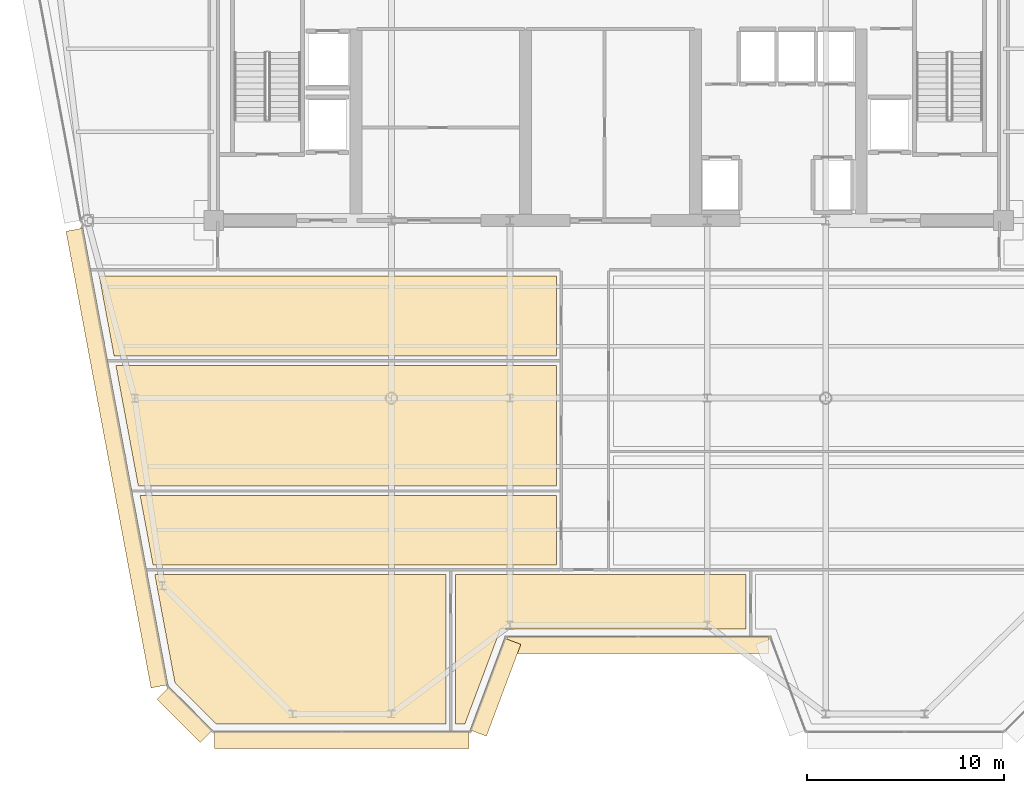
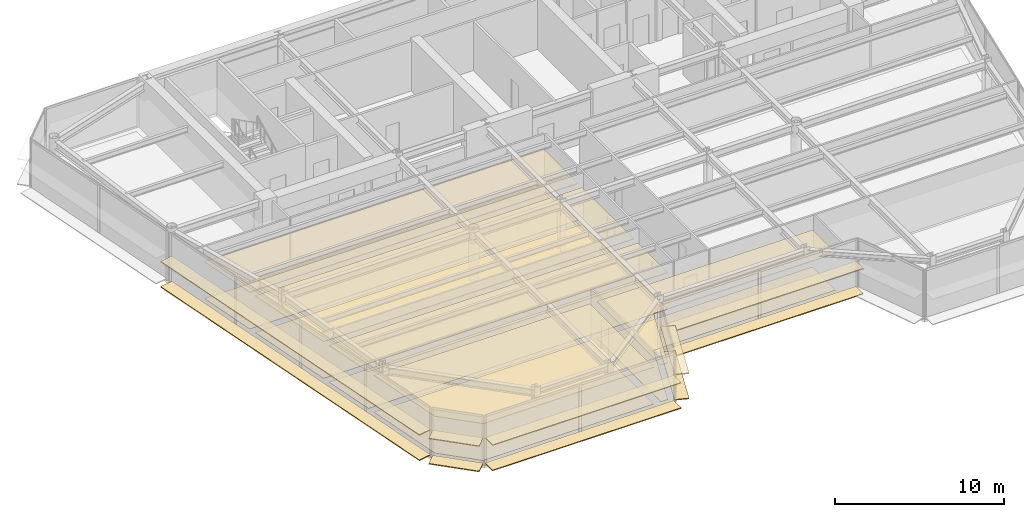
# One storey, part 12 of 18: 20 coverings.
"""IFC4 building model written with IfcOpenShell, lengths in metres."""

from ifc_helpers import new_model, si_unit, direction, frame, origin, origin_2d, place, context, subcontext, project, spatial, polyline, rectangle, outline, extrude, source, transform, mapped, material, layer, layer_set, type_object, element, save


model = new_model("IFC4")

# Units and contexts
model_context = context("Model", 3, precision=1e-05, world=origin(), true_north=direction((0.0, 1.0)))
body_context = subcontext(model_context, "Body", "Model", "MODEL_VIEW")
ifc_project = project(units=[si_unit("LENGTHUNIT", "METRE"), si_unit("AREAUNIT", "SQUARE_METRE"), si_unit("VOLUMEUNIT", "CUBIC_METRE"), si_unit("PLANEANGLEUNIT", "RADIAN"), si_unit("MASSUNIT", "GRAM", prefix="KILO")], contexts=[model_context])

# Site, building, storey
site_placement = place(None, origin())
site = spatial("IfcSite", under=ifc_project, at=site_placement, CompositionType="ELEMENT")
building_placement = place(site_placement, origin())
building = spatial("IfcBuilding", under=site, at=building_placement, Name="Vaeldorn Concourse Tower", CompositionType="ELEMENT")
storey_placement = place(building_placement, frame((0.0, 0.0, 242.199951171875)))
storey = spatial("IfcBuildingStorey", under=building, at=storey_placement, Name="L62", CompositionType="ELEMENT", Elevation=242.199951171875)

# Coverings
ifc_material_1 = material(Name="Acoustic Mineral Fibre Board", Category="gypsum")
ifc_layer_1 = layer(ifc_material_1, 0.0400390625)
ifc_layer_set_1 = layer_set([ifc_layer_1], Name="Acoustic Mineral Fibre Board")
covering_type_1 = type_object("IfcCoveringType", Name="COV-CEIL-ACOUSTIC", PredefinedType="CEILING", material=ifc_layer_set_1)
covering_1_placement = place(storey_placement, frame((0.0, 0.0, 2.650146484375)))
element("IfcCovering", 1, at=covering_1_placement, inside=storey, type_object=covering_type_1, Name="Suspended Acoustic Ceiling L62-5", PredefinedType="CEILING", context=body_context, shape_type="SweptSolid", body=[
    extrude(outline(polyline([(31.360107421875, 22.56005859375), (31.360107421875, 19.0400390625), (10.9296875, 19.0400390625), (10.274169921875, 22.56005859375), (31.360107421875, 22.56005859375)])), origin(), (0.0, 0.0, 1.0), 0.039794921875),
])
covering_2_placement = place(storey_placement, frame((0.0, 0.0, 2.650146484375)))
element("IfcCovering", 2, at=covering_2_placement, inside=storey, type_object=covering_type_1, Name="Suspended Acoustic Ceiling L62-6", PredefinedType="CEILING", context=body_context, shape_type="SweptSolid", body=[
    extrude(outline(polyline([(31.360107421875, 29.159912109375), (31.360107421875, 23.0400390625), (10.184814453125, 23.0400390625), (9.045166015625, 29.159912109375), (31.360107421875, 29.159912109375)])), origin(), (0.0, 0.0, 1.0), 0.039794921875),
])
covering_3_placement = place(storey_placement, frame((0.0, 0.0, 2.650146484375)))
element("IfcCovering", 3, at=covering_3_placement, inside=storey, type_object=covering_type_1, Name="Suspended Acoustic Ceiling L62-7", PredefinedType="CEILING", context=body_context, shape_type="SweptSolid", body=[
    extrude(outline(polyline([(31.360107421875, 33.699951171875), (31.360107421875, 29.639892578125), (8.955810546875, 29.639892578125), (8.199951171875, 33.699951171875), (31.360107421875, 33.699951171875)])), origin(), (0.0, 0.0, 1.0), 0.039794921875),
])
covering_4_placement = place(storey_placement, frame((0.0, 0.0, 2.650146484375)))
element("IfcCovering", 4, at=covering_4_placement, inside=storey, type_object=covering_type_1, Name="Suspended Acoustic Ceiling L62-10", PredefinedType="CEILING", context=body_context, shape_type="SweptSolid", body=[
    extrude(outline(polyline([(25.760009765625, 18.56005859375), (25.760009765625, 11.0), (14.131591796875, 11.0), (12.03662109375, 13.09521484375), (11.683349609375, 14.991455078125), (11.1669921875, 17.76513671875), (11.01904296875, 18.56005859375), (25.760009765625, 18.56005859375)])), origin(), (0.0, 0.0, 1.0), 0.039794921875),
])
covering_5_placement = place(storey_placement, frame((0.0, 0.0, 2.650146484375)))
element("IfcCovering", 5, at=covering_5_placement, inside=storey, type_object=covering_type_1, Name="Suspended Acoustic Ceiling L62-11", PredefinedType="CEILING", context=body_context, shape_type="SweptSolid", body=[
    extrude(outline(polyline([(26.722900390625, 11.0), (26.239990234375, 11.0), (26.239990234375, 18.56005859375), (40.9599609375, 18.56005859375), (40.9599609375, 15.800048828125), (28.522705078125, 15.800048828125), (26.722900390625, 11.0)])), origin(), (0.0, 0.0, 1.0), 0.039794921875),
])
ifc_material_2 = material(Name="Honed Limestone Terrazzo Flooring", Category="masonry")
ifc_layer_2 = layer(ifc_material_2, 0.0400390625)
ifc_layer_set_2 = layer_set([ifc_layer_2], Name="Honed Limestone Terrazzo Flooring")
covering_type_2 = type_object("IfcCoveringType", Name="COV-FLOOR-STONE", PredefinedType="FLOORING", material=ifc_layer_set_2)
covering_6_placement = place(storey_placement, origin())
element("IfcCovering", 6, at=covering_6_placement, inside=storey, type_object=covering_type_2, Name="Floor Finish Covering L62-5", PredefinedType="FLOORING", context=body_context, shape_type="SweptSolid", body=[
    extrude(outline(polyline([(31.360107421875, 22.56005859375), (31.360107421875, 19.0400390625), (10.9296875, 19.0400390625), (10.274169921875, 22.56005859375), (31.360107421875, 22.56005859375)])), origin(), (0.0, 0.0, 1.0), 0.030029296875),
])
covering_7_placement = place(storey_placement, origin())
element("IfcCovering", 7, at=covering_7_placement, inside=storey, type_object=covering_type_2, Name="Floor Finish Covering L62-6", PredefinedType="FLOORING", context=body_context, shape_type="SweptSolid", body=[
    extrude(outline(polyline([(31.360107421875, 29.159912109375), (31.360107421875, 23.0400390625), (10.184814453125, 23.0400390625), (9.045166015625, 29.159912109375), (31.360107421875, 29.159912109375)])), origin(), (0.0, 0.0, 1.0), 0.030029296875),
])
covering_8_placement = place(storey_placement, origin())
element("IfcCovering", 8, at=covering_8_placement, inside=storey, type_object=covering_type_2, Name="Floor Finish Covering L62-7", PredefinedType="FLOORING", context=body_context, shape_type="SweptSolid", body=[
    extrude(outline(polyline([(31.360107421875, 33.699951171875), (31.360107421875, 29.639892578125), (8.955810546875, 29.639892578125), (8.199951171875, 33.699951171875), (31.360107421875, 33.699951171875)])), origin(), (0.0, 0.0, 1.0), 0.030029296875),
])
covering_9_placement = place(storey_placement, origin())
element("IfcCovering", 9, at=covering_9_placement, inside=storey, type_object=covering_type_2, Name="Floor Finish Covering L62-10", PredefinedType="FLOORING", context=body_context, shape_type="SweptSolid", body=[
    extrude(outline(polyline([(25.760009765625, 18.56005859375), (25.760009765625, 11.0), (14.131591796875, 11.0), (12.03662109375, 13.09521484375), (11.683349609375, 14.991455078125), (11.1669921875, 17.76513671875), (11.01904296875, 18.56005859375), (25.760009765625, 18.56005859375)])), origin(), (0.0, 0.0, 1.0), 0.030029296875),
])
covering_10_placement = place(storey_placement, origin())
element("IfcCovering", 10, at=covering_10_placement, inside=storey, type_object=covering_type_2, Name="Floor Finish Covering L62-11", PredefinedType="FLOORING", context=body_context, shape_type="SweptSolid", body=[
    extrude(outline(polyline([(26.722900390625, 11.0), (26.239990234375, 11.0), (26.239990234375, 18.56005859375), (40.9599609375, 18.56005859375), (40.9599609375, 15.800048828125), (28.522705078125, 15.800048828125), (26.722900390625, 11.0)])), origin(), (0.0, 0.0, 1.0), 0.030029296875),
])
ifc_material_3 = material(Name="Anodised Bronze Aluminium", Category="aluminium")
ifc_layer_3 = layer(ifc_material_3, 0.06494140625)
ifc_layer_set_3 = layer_set([ifc_layer_3], Name="Anodised Bronze Aluminium")
covering_type_3 = type_object("IfcCoveringType", Name="SD-BRONZE-SUNSHADE", PredefinedType="USERDEFINED", material=ifc_layer_set_3)
shared_shape_1 = source(origin(), body_context, "Body", "SweptSolid", [
    extrude(rectangle(XDim=4.96630859375, YDim=0.8798828125, at=origin_2d()), origin(), (0.0, 0.0, 1.0), 0.06494140625),
])
for number, where, z_axis, x_axis, name in (
    (11, (28.2744140625, 12.859619140625, 0.047607421875), (0.0, 0.0, 1.0), (0.351122702609, 0.936329454686, 0.0), "Horizontal Bronze Sunshade L62-E02.1.1"),
    (12, (28.2744140625, 12.859619140625, 1.86767578125), (0.0, 0.0, 1.0), (0.351122702609, 0.936329454686, 0.0), "Horizontal Bronze Sunshade L62-E02.1.2"),
):
    element("IfcCovering", number, at=place(storey_placement, frame(where, z_axis=z_axis, x_axis=x_axis)), inside=storey, type_object=covering_type_3, Name=name, ObjectType="SUNSHADE", PredefinedType="USERDEFINED", context=body_context, shape_type="MappedRepresentation", body=[
        mapped(shared_shape_1, transform((0.0, 0.0, 0.0), scale=1.0)),
    ])
shared_shape_2 = source(origin(), body_context, "Body", "SweptSolid", [
    extrude(rectangle(XDim=13.239990234375, YDim=0.8798828125, at=origin_2d()), origin(), (0.0, 0.0, 1.0), 0.06494140625),
])
for number, where, z_axis, x_axis, name in (
    (13, (35.5, 15.0, 0.047607421875), (0.0, 0.0, 1.0), (1.0, 0.0, 0.0), "Horizontal Bronze Sunshade L62-E03.1.1"),
    (14, (35.5, 15.0, 1.86767578125), (0.0, 0.0, 1.0), (1.0, 0.0, 0.0), "Horizontal Bronze Sunshade L62-E03.1.2"),
):
    element("IfcCovering", number, at=place(storey_placement, frame(where, z_axis=z_axis, x_axis=x_axis)), inside=storey, type_object=covering_type_3, Name=name, ObjectType="SUNSHADE", PredefinedType="USERDEFINED", context=body_context, shape_type="MappedRepresentation", body=[
        mapped(shared_shape_2, transform((0.0, 0.0, 0.0), scale=1.0)),
    ])
shared_shape_3 = source(origin(), body_context, "Body", "SweptSolid", [
    extrude(rectangle(XDim=3.0927734375, YDim=0.8798828125, at=origin_2d()), origin(), (0.0, 0.0, 1.0), 0.06494140625),
])
for number, where, z_axis, x_axis, name in (
    (15, (12.533203125, 11.46728515625, 0.047607421875), (0.0, 0.0, 1.0), (0.707106781187, -0.707106781187, 0.0), "Horizontal Bronze Sunshade L62-E12.1.1"),
    (16, (12.533203125, 11.46728515625, 1.86767578125), (0.0, 0.0, 1.0), (0.707106781187, -0.707106781187, 0.0), "Horizontal Bronze Sunshade L62-E12.1.2"),
):
    element("IfcCovering", number, at=place(storey_placement, frame(where, z_axis=z_axis, x_axis=x_axis)), inside=storey, type_object=covering_type_3, Name=name, ObjectType="SUNSHADE", PredefinedType="USERDEFINED", context=body_context, shape_type="MappedRepresentation", body=[
        mapped(shared_shape_3, transform((0.0, 0.0, 0.0), scale=1.0)),
    ])
shared_shape_4 = source(origin(), body_context, "Body", "SweptSolid", [
    extrude(rectangle(XDim=23.525146484375, YDim=0.8798828125, at=origin_2d()), origin(), (0.0, 0.0, 1.0), 0.06494140625),
])
for number, where, z_axis, x_axis, name in (
    (17, (9.10498046875, 24.46923828125, 0.047607421875), (0.0, 0.0, 1.0), (0.183059191151, -0.983101893262, 0.0), "Horizontal Bronze Sunshade L62-E11.2.1"),
    (18, (9.10498046875, 24.46923828125, 1.86767578125), (0.0, 0.0, 1.0), (0.183059191151, -0.983101893262, 0.0), "Horizontal Bronze Sunshade L62-E11.2.2"),
):
    element("IfcCovering", number, at=place(storey_placement, frame(where, z_axis=z_axis, x_axis=x_axis)), inside=storey, type_object=covering_type_3, Name=name, ObjectType="SUNSHADE", PredefinedType="USERDEFINED", context=body_context, shape_type="MappedRepresentation", body=[
        mapped(shared_shape_4, transform((0.0, 0.0, 0.0), scale=1.0)),
    ])
shared_shape_5 = source(origin(), body_context, "Body", "SweptSolid", [
    extrude(rectangle(XDim=12.8740234375, YDim=0.8798828125, at=origin_2d()), origin(), (0.0, 0.0, 1.0), 0.06494140625),
])
for number, where, z_axis, x_axis, name in (
    (19, (20.48291015625, 10.199951171875, 0.047607421875), (0.0, 0.0, 1.0), (1.0, 0.0, 0.0), "Horizontal Bronze Sunshade L62-E01.1.1"),
    (20, (20.48291015625, 10.199951171875, 1.86767578125), (0.0, 0.0, 1.0), (1.0, 0.0, 0.0), "Horizontal Bronze Sunshade L62-E01.1.2"),
):
    element("IfcCovering", number, at=place(storey_placement, frame(where, z_axis=z_axis, x_axis=x_axis)), inside=storey, type_object=covering_type_3, Name=name, ObjectType="SUNSHADE", PredefinedType="USERDEFINED", context=body_context, shape_type="MappedRepresentation", body=[
        mapped(shared_shape_5, transform((0.0, 0.0, 0.0), scale=1.0)),
    ])

save(model, "model.ifc")
